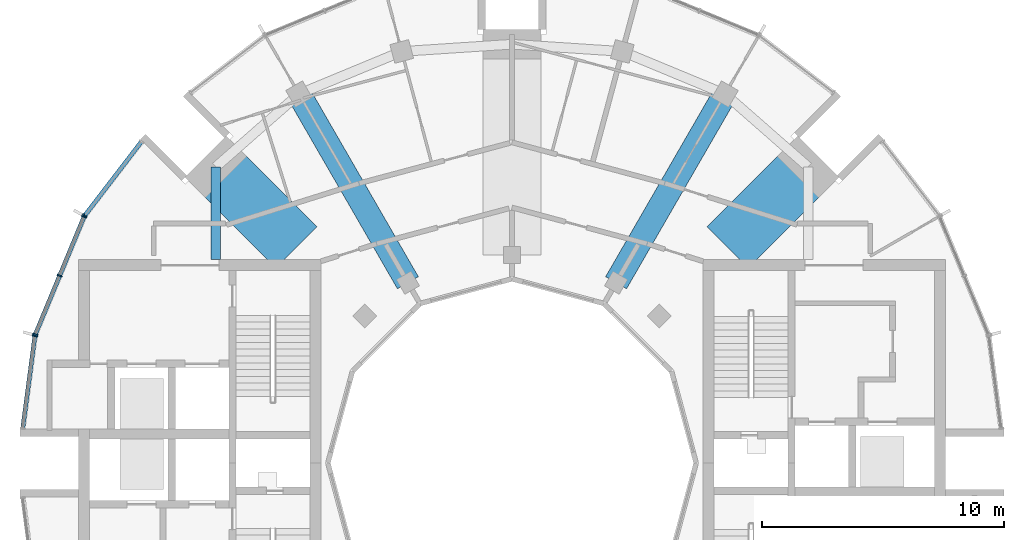
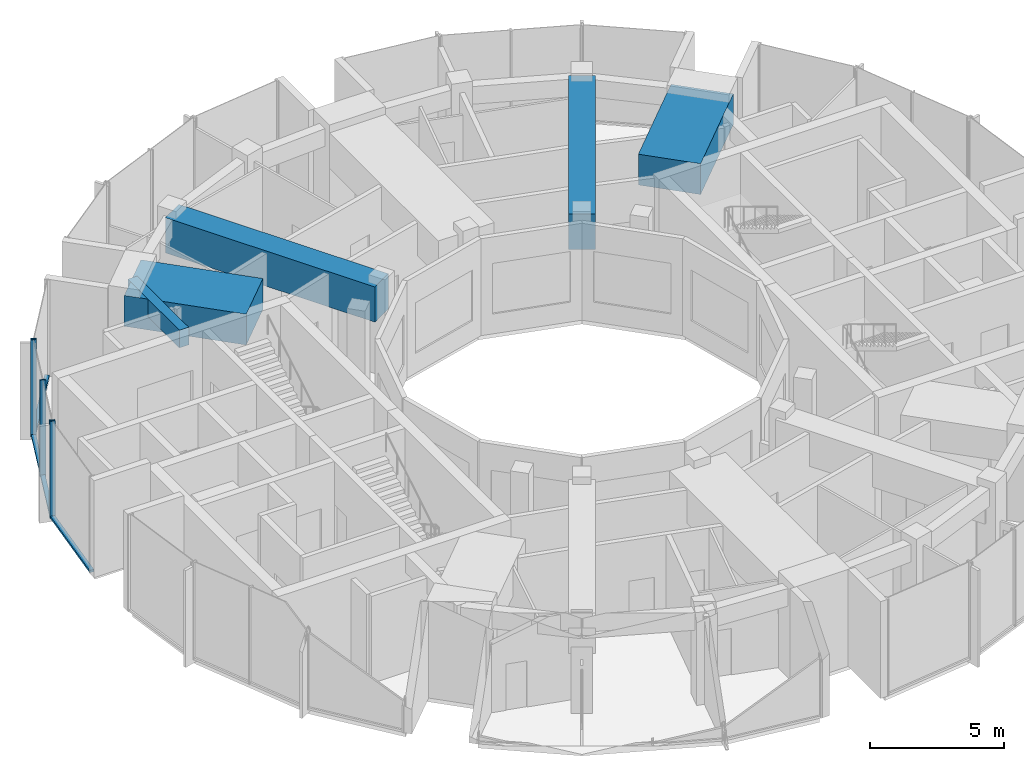
# One storey, part 3 of 13: 9 members, 5 beams, 3 elements without a shape of their own.
"""IFC4 building model written with IfcOpenShell, lengths in metres."""

from ifc_helpers import new_model, si_unit, direction, frame, origin, origin_2d, place, context, subcontext, project, spatial, rectangle, extrude, material, layer, layer_set, material_profile, profile_set, type_object, element, aggregate, save


model = new_model("IFC4")

# Units and contexts
model_context = context("Model", 3, precision=1e-05, world=origin(), true_north=direction((0.0, 1.0)))
body_context = subcontext(model_context, "Body", "Model", "MODEL_VIEW")
ifc_project = project(units=[si_unit("LENGTHUNIT", "METRE"), si_unit("AREAUNIT", "SQUARE_METRE"), si_unit("VOLUMEUNIT", "CUBIC_METRE"), si_unit("PLANEANGLEUNIT", "RADIAN"), si_unit("MASSUNIT", "GRAM", prefix="KILO")], contexts=[model_context])

# Site, building, storey
site_placement = place(None, origin())
site = spatial("IfcSite", under=ifc_project, at=site_placement, CompositionType="ELEMENT")
building_placement = place(site_placement, origin())
building = spatial("IfcBuilding", under=site, at=building_placement, Name="Torre Brocal", CompositionType="ELEMENT")
storey_placement = place(building_placement, frame((0.0, 0.0, 323.699951171875)))
storey = spatial("IfcBuildingStorey", under=building, at=storey_placement, Name="L74", CompositionType="ELEMENT", Elevation=323.699951171875)

# Curtain wall, member
ifc_material_1 = material(Name="Aluminium and glass", Category="aluminium")
ifc_layer = layer(ifc_material_1, 0.199951171875)
ifc_layer_set = layer_set([ifc_layer], Name="Aluminium and glass")
curtain_wall_type = type_object("IfcCurtainWallType", Name="CW-5 CURTAIN WALL 4400 HIGH", PredefinedType="NOTDEFINED", material=ifc_layer_set)
curtain_wall_1_placement = place(storey_placement, origin())
curtain_wall_1 = element("IfcCurtainWall", 1, at=curtain_wall_1_placement, inside=storey, type_object=curtain_wall_type, Name="CW-5 RUN 10", PredefinedType="NOTDEFINED")
ifc_material_2 = material(Name="Aluminium, dark anodised", Category="aluminium")
ifc_material_profile_1 = material_profile(ifc_material_2, rectangle(XDim=0.219970703125, YDim=0.06005859375, at=origin_2d()), Name="CW-5 MULLION 60X220")
ifc_profile_set_1 = profile_set([ifc_material_profile_1], Name="Aluminium, dark anodised")
member_type_1 = type_object("IfcMemberType", Name="CW-5 MULLION 60X220", PredefinedType="MULLION", material=ifc_profile_set_1)
member_1_placement = place(storey_placement, frame((62.35205078125, 85.223388671875, 0.0), z_axis=(0.0, 0.0, 1.0), x_axis=(0.793353340376, -0.608761428898, 0.0)))
member_1 = element("IfcMember", 2, at=member_1_placement, type_object=member_type_1, Name="CW5-1 mullion 2", PredefinedType="MULLION", context=body_context, shape_type="SweptSolid", body=[
    extrude(rectangle(XDim=0.219970703125, YDim=0.06005859375, at=origin_2d()), origin(), (0.0, 0.0, 1.0), 4.400146484375),
])

# Curtain wall, members
curtain_wall_2_placement = place(storey_placement, origin())
curtain_wall_2 = element("IfcCurtainWall", 3, at=curtain_wall_2_placement, inside=storey, type_object=curtain_wall_type, Name="CW-5 RUN 11", PredefinedType="NOTDEFINED")
member_2_placement = place(storey_placement, frame((62.322265625, 85.171875, 0.0), z_axis=(0.0, 0.0, 1.0), x_axis=(0.923879532478, -0.382683432446, 0.0)))
member_2 = element("IfcMember", 4, at=member_2_placement, type_object=member_type_1, Name="CW5-1 mullion 1", PredefinedType="MULLION", context=body_context, shape_type="SweptSolid", body=[
    extrude(rectangle(XDim=0.219970703125, YDim=0.06005859375, at=origin_2d()), origin(), (0.0, 0.0, 1.0), 4.400146484375),
])
member_3_placement = place(storey_placement, frame((61.31494140625, 82.73974609375, 0.0), z_axis=(0.0, 0.0, 1.0), x_axis=(0.923879532478, -0.382683432446, 0.0)))
member_3 = element("IfcMember", 5, at=member_3_placement, type_object=member_type_1, Name="CW5-1 mullion 2", PredefinedType="MULLION", context=body_context, shape_type="SweptSolid", body=[
    extrude(rectangle(XDim=0.219970703125, YDim=0.06005859375, at=origin_2d()), origin(), (0.0, 0.0, 1.0), 4.400146484375),
])
member_4_placement = place(storey_placement, frame((60.307373046875, 80.307373046875, 0.0), z_axis=(0.0, 0.0, 1.0), x_axis=(0.923879532478, -0.382683432446, 0.0)))
member_4 = element("IfcMember", 6, at=member_4_placement, type_object=member_type_1, Name="CW5-1 mullion 3", PredefinedType="MULLION", context=body_context, shape_type="SweptSolid", body=[
    extrude(rectangle(XDim=0.219970703125, YDim=0.06005859375, at=origin_2d()), origin(), (0.0, 0.0, 1.0), 4.400146484375),
])

# Curtain wall, member
curtain_wall_3_placement = place(storey_placement, origin())
curtain_wall_3 = element("IfcCurtainWall", 7, at=curtain_wall_3_placement, inside=storey, type_object=curtain_wall_type, Name="CW-5 RUN 12", PredefinedType="NOTDEFINED")
member_5_placement = place(storey_placement, frame((60.2919921875, 80.25, 0.0), z_axis=(0.0, 0.0, 1.0), x_axis=(0.991444861394, -0.130526192064, 0.0)))
member_5 = element("IfcMember", 8, at=member_5_placement, type_object=member_type_1, Name="CW5-1 mullion 1", PredefinedType="MULLION", context=body_context, shape_type="SweptSolid", body=[
    extrude(rectangle(XDim=0.219970703125, YDim=0.06005859375, at=origin_2d()), origin(), (0.0, 0.0, 1.0), 4.400146484375),
])

# Member
ifc_material_3 = material(Name="Aluminium, dark anodised", Category="aluminium")
ifc_material_profile_2 = material_profile(ifc_material_3, rectangle(XDim=0.179931640625, YDim=0.10009765625, at=origin_2d()), Name="CW-5 TRANSOM 180X100")
ifc_profile_set_2 = profile_set([ifc_material_profile_2], Name="Aluminium, dark anodised")
member_type_2 = type_object("IfcMemberType", Name="CW-5 TRANSOM 180X100", PredefinedType="USERDEFINED", material=ifc_profile_set_2)
member_6_placement = place(storey_placement, frame((64.679443359375, 88.256591796875, 0.050048828125), z_axis=(-0.60872740935, -0.793379443335, 0.0), x_axis=(0.793379443335, -0.60872740935, 0.0)))
member_6 = element("IfcMember", 9, at=member_6_placement, type_object=member_type_2, Name="CW5-1 transom 1.1", ObjectType="TRANSOM", PredefinedType="USERDEFINED", context=body_context, shape_type="SweptSolid", body=[
    extrude(rectangle(XDim=0.179931640625, YDim=0.10009765625, at=origin_2d()), origin(), (0.0, 0.0, 1.0), 3.793212890625),
])

aggregate(curtain_wall_1, [member_1, member_6])

member_7_placement = place(storey_placement, frame((62.310791015625, 85.14404296875, 0.050048828125), z_axis=(-0.382653538633, -0.923891914334, 0.0), x_axis=(0.923891914334, -0.382653538633, 0.0)))
member_7 = element("IfcMember", 10, at=member_7_placement, type_object=member_type_2, Name="CW5-1 transom 1.1", ObjectType="TRANSOM", PredefinedType="USERDEFINED", context=body_context, shape_type="SweptSolid", body=[
    extrude(rectangle(XDim=0.179931640625, YDim=0.10009765625, at=origin_2d()), origin(), (0.0, 0.0, 1.0), 2.572509765625),
])

member_8_placement = place(storey_placement, frame((61.303466796875, 82.7119140625, 0.050048828125), z_axis=(-0.382734542152, -0.923858360488, 0.0), x_axis=(0.923858360488, -0.382734542152, 0.0)))
member_8 = element("IfcMember", 11, at=member_8_placement, type_object=member_type_2, Name="CW5-1 transom 2.1", ObjectType="TRANSOM", PredefinedType="USERDEFINED", context=body_context, shape_type="SweptSolid", body=[
    extrude(rectangle(XDim=0.179931640625, YDim=0.10009765625, at=origin_2d()), origin(), (0.0, 0.0, 1.0), 2.572509765625),
])

aggregate(curtain_wall_2, [member_2, member_3, member_4, member_7, member_8])

member_9_placement = place(storey_placement, frame((60.2880859375, 80.22021484375, 0.050048828125), z_axis=(-0.130527769268, -0.99144465375, 0.0), x_axis=(0.99144465375, -0.130527769268, 0.0)))
member_9 = element("IfcMember", 12, at=member_9_placement, type_object=member_type_2, Name="CW5-1 transom 1.1", ObjectType="TRANSOM", PredefinedType="USERDEFINED", context=body_context, shape_type="SweptSolid", body=[
    extrude(rectangle(XDim=0.179931640625, YDim=0.10009765625, at=origin_2d()), origin(), (0.0, 0.0, 1.0), 3.793212890625),
])

aggregate(curtain_wall_3, [member_5, member_9])

# Beams
ifc_material_4 = material(Name="Concrete C50", Category="concrete")
ifc_material_profile_3 = material_profile(ifc_material_4, rectangle(XDim=0.39990234375, YDim=0.800048828125, at=origin_2d()), Name="RC 400X800")
ifc_profile_set_3 = profile_set([ifc_material_profile_3], Name="Concrete C50")
beam_type_1 = type_object("IfcBeamType", Name="RC SPANDREL BEAM 400X800 C50 TOP 4050", PredefinedType="SPANDREL", material=ifc_profile_set_3)
beam_placement = place(storey_placement, frame((67.76708984375, 87.23291015625, 3.650146484375), z_axis=(0.0, -1.0, 0.0), x_axis=(1.0, 0.0, 0.0)))
element("IfcBeam", 13, at=beam_placement, inside=storey, type_object=beam_type_1, Name="Beam BT-51", PredefinedType="SPANDREL", context=body_context, shape_type="SweptSolid", body=[
    extrude(rectangle(XDim=0.39990234375, YDim=0.800048828125, at=origin_2d()), origin(), (0.0, 0.0, 1.0), 3.8330078125),
])
ifc_material_5 = material(Name="Concrete C60", Category="concrete")
ifc_material_profile_4 = material_profile(ifc_material_5, rectangle(XDim=1.0, YDim=1.60009765625, at=origin_2d()), Name="RC 1000X1600")
ifc_profile_set_4 = profile_set([ifc_material_profile_4], Name="Concrete C60")
beam_type_2 = type_object("IfcBeamType", Name="RC TRANSFER GIRDER 1000X1600 C60 TOP 4050", PredefinedType="BEAM", material=ifc_profile_set_4)
for number, where, z_axis, x_axis, name in (
    (14, (75.699951171875, 82.44775390625, 3.25), (-0.5000018851, 0.866024315419, 0.0), (-0.866024315419, -0.5000018851, 0.0), "Beam TG-12"),
    (15, (84.300048828125, 82.44775390625, 3.25), (0.5000018851, 0.866024315419, 0.0), (-0.866024315419, 0.5000018851, 0.0), "Beam TG-12"),
):
    element("IfcBeam", number, at=place(storey_placement, frame(where, z_axis=z_axis, x_axis=x_axis)), inside=storey, type_object=beam_type_2, Name=name, PredefinedType="BEAM", context=body_context, shape_type="SweptSolid", body=[
        extrude(rectangle(XDim=1.0, YDim=1.60009765625, at=origin_2d()), origin(), (0.0, 0.0, 1.0), 9.0),
    ])
ifc_material_6 = material(Name="Concrete C60", Category="concrete")
ifc_material_profile_5 = material_profile(ifc_material_6, rectangle(XDim=2.39990234375, YDim=1.39990234375, at=origin_2d()), Name="RC 2400X1400")
ifc_profile_set_5 = profile_set([ifc_material_profile_5], Name="Concrete C60")
beam_type_3 = type_object("IfcBeamType", Name="RC TRANSFER GIRDER 2400X1400 C60 TOP 4050", PredefinedType="BEAM", material=ifc_profile_set_5)
for number, where, z_axis, x_axis, name in (
    (16, (71.090576171875, 83.909423828125, 3.35009765625), (-0.707106781187, 0.707106781187, 0.0), (-0.707106781187, -0.707106781187, 0.0), "Beam TG-11"),
    (17, (88.909423828125, 83.909423828125, 3.35009765625), (0.707106781187, 0.707106781187, 0.0), (-0.707106781187, 0.707106781187, 0.0), "Beam TG-11"),
):
    element("IfcBeam", number, at=place(storey_placement, frame(where, z_axis=z_axis, x_axis=x_axis)), inside=storey, type_object=beam_type_3, Name=name, PredefinedType="BEAM", context=body_context, shape_type="SweptSolid", body=[
        extrude(rectangle(XDim=2.39990234375, YDim=1.39990234375, at=origin_2d()), origin(), (0.0, 0.0, 1.0), 4.7001953125),
    ])

save(model, "model.ifc")
